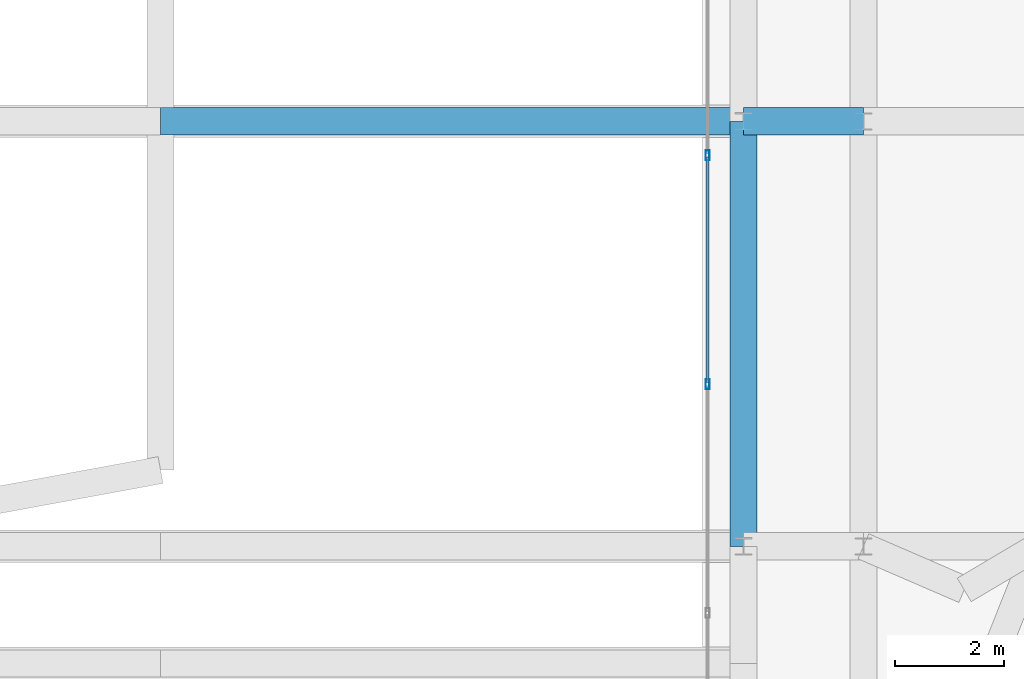
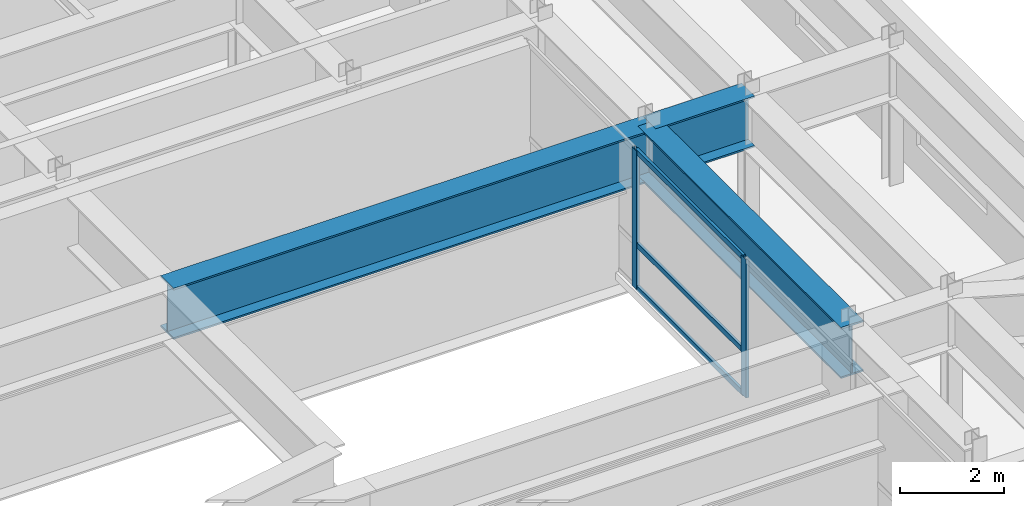
# One storey, part 10 of 21: 5 members, 3 beams, 1 element without a shape of its own.
"""IFC4 building model written with IfcOpenShell, lengths in metres."""

from ifc_helpers import new_model, si_unit, direction, frame, origin, origin_2d, place, context, subcontext, project, spatial, hollow_rectangle, i_section, extrude, source, transform, mapped, material, layer, layer_set, material_profile, profile_set, type_object, type_shapes, element, aggregate, save


model = new_model("IFC4")

# Units and contexts
model_context = context("Model", 3, precision=1e-05, world=origin(), true_north=direction((0.0, 1.0)))
body_context = subcontext(model_context, "Body", "Model", "MODEL_VIEW")
ifc_project = project(units=[si_unit("LENGTHUNIT", "METRE"), si_unit("AREAUNIT", "SQUARE_METRE"), si_unit("VOLUMEUNIT", "CUBIC_METRE"), si_unit("PLANEANGLEUNIT", "RADIAN"), si_unit("MASSUNIT", "GRAM", prefix="KILO")], contexts=[model_context])

# Site, building, storey
site_placement = place(None, origin())
site = spatial("IfcSite", under=ifc_project, at=site_placement, CompositionType="ELEMENT")
building_placement = place(site_placement, origin())
building = spatial("IfcBuilding", under=site, at=building_placement, Name="Tolvann Quenvar Hotel", CompositionType="ELEMENT")
storey_placement = place(building_placement, frame((0.0, 0.0, 266.5)))
storey = spatial("IfcBuildingStorey", under=building, at=storey_placement, Name="L71", CompositionType="ELEMENT", Elevation=266.5)

# Beams
ifc_material_1 = material(Name="Steel Grade 350", Category="steel")
ifc_material_profile_1 = material_profile(ifc_material_1, i_section(OverallWidth=0.5, OverallDepth=1.199951171875, WebThickness=0.01611328125, FlangeThickness=0.0400390625, at=origin_2d()), Name="1200WB455")
ifc_profile_set_1 = profile_set([ifc_material_profile_1], Name="Steel Grade 350")
beam_type = type_object("IfcBeamType", Name="BM_TG_1200WB455", PredefinedType="USERDEFINED", material=ifc_profile_set_1)
shared_shape_1 = source(origin(), body_context, "Body", "SweptSolid", [
    extrude(i_section(OverallWidth=0.5, OverallDepth=1.199951171875, WebThickness=0.01611328125, FlangeThickness=0.0400390625, at=origin_2d()), origin(), (0.0, 0.0, 1.0), 2.199951171875),
])
beam_1_placement = place(storey_placement, frame((32.75, 16.0, 2.64990234375), z_axis=(1.0, 0.0, 0.0), x_axis=(0.0, 1.0, 0.0)))
element("IfcBeam", 1, at=beam_1_placement, inside=storey, type_object=beam_type, Name="BM-L71-EW-4-FP4-F4", ObjectType="TRANSFER GIRDER", PredefinedType="USERDEFINED", context=body_context, shape_type="MappedRepresentation", body=[
    mapped(shared_shape_1, transform((0.0, 0.0, 0.0), x_axis=(1.0, 0.0, 0.0), y_axis=(0.0, 1.0, 0.0), z_axis=(0.0, 0.0, 1.0), scale=1.0)),
])
shared_shape_2 = source(origin(), body_context, "Body", "SweptSolid", [
    extrude(i_section(OverallWidth=0.5, OverallDepth=1.199951171875, WebThickness=0.01611328125, FlangeThickness=0.0400390625, at=origin_2d()), origin(), (0.0, 0.0, 1.0), 7.800048828125),
])
beam_2_placement = place(storey_placement, frame((32.75, 8.199951171875, 2.64990234375), z_axis=(0.0, 1.0, 0.0), x_axis=(-1.0, 0.0, 0.0)))
element("IfcBeam", 2, at=beam_2_placement, inside=storey, type_object=beam_type, Name="TG-L71-NS-FP3", ObjectType="TRANSFER GIRDER", PredefinedType="USERDEFINED", context=body_context, shape_type="MappedRepresentation", body=[
    mapped(shared_shape_2, transform((0.0, 0.0, 0.0), x_axis=(1.0, 0.0, 0.0), y_axis=(0.0, 1.0, 0.0), z_axis=(0.0, 0.0, 1.0), scale=1.0)),
])
shared_shape_3 = source(origin(), body_context, "Body", "SweptSolid", [
    extrude(i_section(OverallWidth=0.5, OverallDepth=1.199951171875, WebThickness=0.01611328125, FlangeThickness=0.0400390625, at=origin_2d()), origin(), (0.0, 0.0, 1.0), 10.699951171875),
])
type_shapes(beam_type, [shared_shape_1, shared_shape_2, shared_shape_3])
beam_3_placement = place(storey_placement, frame((22.050048828125, 16.0, 2.64990234375), z_axis=(1.0, 0.0, 0.0), x_axis=(0.0, 1.0, 0.0)))
element("IfcBeam", 3, at=beam_3_placement, inside=storey, type_object=beam_type, Name="TG-L71-TOP-Y16B", ObjectType="TRANSFER GIRDER", PredefinedType="USERDEFINED", context=body_context, shape_type="MappedRepresentation", body=[
    mapped(shared_shape_3, transform((0.0, 0.0, 0.0), x_axis=(1.0, 0.0, 0.0), y_axis=(0.0, 1.0, 0.0), z_axis=(0.0, 0.0, 1.0), scale=1.0)),
])

# Curtain wall, members
ifc_material_2 = material(Name="Thermally broken anodised architectural aluminium 6063-T6 and laminated low-E glass", Category="aluminium")
ifc_layer = layer(ifc_material_2, 0.179931640625)
ifc_layer_set = layer_set([ifc_layer], Name="Thermally broken anodised architectural aluminium 6063-T6 and laminated low-E glass")
curtain_wall_type = type_object("IfcCurtainWallType", Name="CW_SYS_PORTAL_05", PredefinedType="USERDEFINED", material=ifc_layer_set)
curtain_wall_placement = place(storey_placement, origin())
curtain_wall = element("IfcCurtainWall", 4, at=curtain_wall_placement, inside=storey, type_object=curtain_wall_type, Name="Curtain Wall CW-PORTAL-05 (CWR-L71-E07)", ObjectType="UNITISED CURTAIN WALL", PredefinedType="USERDEFINED")
ifc_material_3 = material(Name="Anodised architectural aluminium 6063-T6 framing", Category="aluminium")
ifc_material_profile_2 = material_profile(ifc_material_3, hollow_rectangle(XDim=0.070068359375, YDim=0.179931640625, WallThickness=0.00390625, at=origin_2d()), Name="180x70x4RHS")
ifc_profile_set_2 = profile_set([ifc_material_profile_2], Name="Anodised architectural aluminium 6063-T6 framing")
member_type_1 = type_object("IfcMemberType", Name="CW_MULL_180x70", PredefinedType="MULLION", material=ifc_profile_set_2)
shared_shape_4 = source(origin(), body_context, "Body", "SweptSolid", [
    extrude(hollow_rectangle(XDim=0.070068359375, YDim=0.179931640625, WallThickness=0.00390625, at=origin_2d()), origin(), (0.0, 0.0, 1.0), 3.25),
])
type_shapes(member_type_1, [shared_shape_4])
member_1_placement = place(storey_placement, frame((32.090087890625, 15.375, 0.0), z_axis=(0.0, 0.0, 1.0), x_axis=(1.0, 0.0, 0.0)))
member_1 = element("IfcMember", 5, at=member_1_placement, type_object=member_type_1, Name="CW-PORTAL-05 mullion 2", PredefinedType="MULLION", context=body_context, shape_type="MappedRepresentation", body=[
    mapped(shared_shape_4, transform((0.0, 0.0, 0.0), x_axis=(1.0, 0.0, 0.0), y_axis=(0.0, 1.0, 0.0), z_axis=(0.0, 0.0, 1.0), scale=1.0)),
])
member_2_placement = place(storey_placement, frame((32.090087890625, 11.175048828125, 0.0), z_axis=(0.0, 0.0, 1.0), x_axis=(1.0, 0.0, 0.0)))
member_2 = element("IfcMember", 6, at=member_2_placement, type_object=member_type_1, Name="CW-PORTAL-05 mullion 3", PredefinedType="MULLION", context=body_context, shape_type="MappedRepresentation", body=[
    mapped(shared_shape_4, transform((0.0, 0.0, 0.0), x_axis=(1.0, 0.0, 0.0), y_axis=(0.0, 1.0, 0.0), z_axis=(0.0, 0.0, 1.0), scale=1.0)),
])
ifc_material_profile_3 = material_profile(ifc_material_3, hollow_rectangle(XDim=0.06005859375, YDim=0.1201171875, WallThickness=0.00341796875, at=origin_2d()), Name="120x60x3.5RHS")
ifc_profile_set_3 = profile_set([ifc_material_profile_3], Name="Anodised architectural aluminium 6063-T6 framing")
member_type_2 = type_object("IfcMemberType", Name="CW_TRAN_120x60", PredefinedType="USERDEFINED", material=ifc_profile_set_3)
shared_shape_5 = source(origin(), body_context, "Body", "SweptSolid", [
    extrude(hollow_rectangle(XDim=0.06005859375, YDim=0.1201171875, WallThickness=0.00341796875, at=origin_2d()), origin(), (0.0, 0.0, 1.0), 4.130126953125),
])
type_shapes(member_type_2, [shared_shape_5])
member_3_placement = place(storey_placement, frame((32.090087890625, 15.340087890625, 0.030029296875), z_axis=(0.0, -1.0, 0.0), x_axis=(1.0, 0.0, 0.0)))
member_3 = element("IfcMember", 7, at=member_3_placement, type_object=member_type_2, Name="CW-PORTAL-05 transom 2.1", ObjectType="TRANSOM", PredefinedType="USERDEFINED", context=body_context, shape_type="MappedRepresentation", body=[
    mapped(shared_shape_5, transform((0.0, 0.0, 0.0), x_axis=(1.0, 0.0, 0.0), y_axis=(0.0, 1.0, 0.0), z_axis=(0.0, 0.0, 1.0), scale=1.0)),
])
member_4_placement = place(storey_placement, frame((32.090087890625, 15.340087890625, 1.0400390625), z_axis=(0.0, -1.0, 0.0), x_axis=(1.0, 0.0, 0.0)))
member_4 = element("IfcMember", 8, at=member_4_placement, type_object=member_type_2, Name="CW-PORTAL-05 transom 2.2", ObjectType="TRANSOM", PredefinedType="USERDEFINED", context=body_context, shape_type="MappedRepresentation", body=[
    mapped(shared_shape_5, transform((0.0, 0.0, 0.0), x_axis=(1.0, 0.0, 0.0), y_axis=(0.0, 1.0, 0.0), z_axis=(0.0, 0.0, 1.0), scale=1.0)),
])
member_5_placement = place(storey_placement, frame((32.090087890625, 15.340087890625, 3.219970703125), z_axis=(0.0, -1.0, 0.0), x_axis=(1.0, 0.0, 0.0)))
member_5 = element("IfcMember", 9, at=member_5_placement, type_object=member_type_2, Name="CW-PORTAL-05 transom 2.3", ObjectType="TRANSOM", PredefinedType="USERDEFINED", context=body_context, shape_type="MappedRepresentation", body=[
    mapped(shared_shape_5, transform((0.0, 0.0, 0.0), x_axis=(1.0, 0.0, 0.0), y_axis=(0.0, 1.0, 0.0), z_axis=(0.0, 0.0, 1.0), scale=1.0)),
])
aggregate(curtain_wall, [member_1, member_2, member_3, member_4, member_5])

save(model, "model.ifc")
